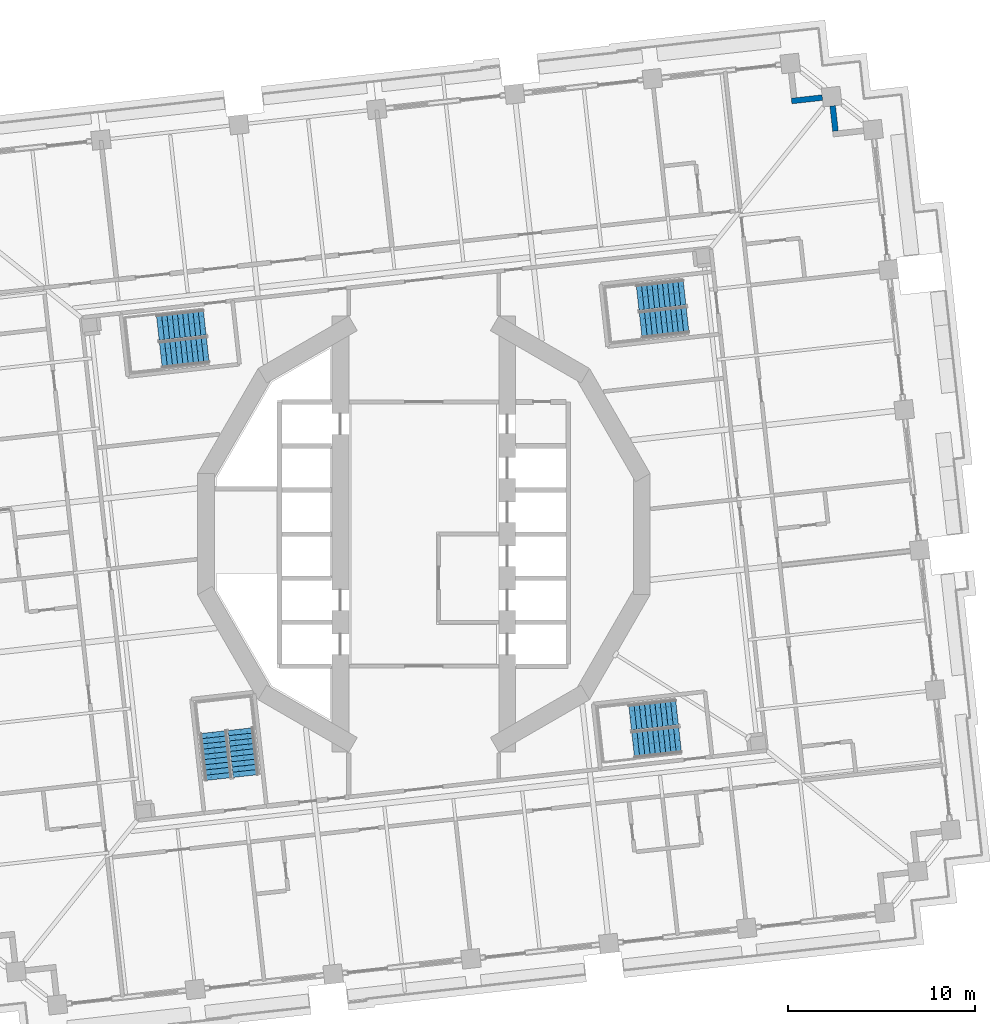
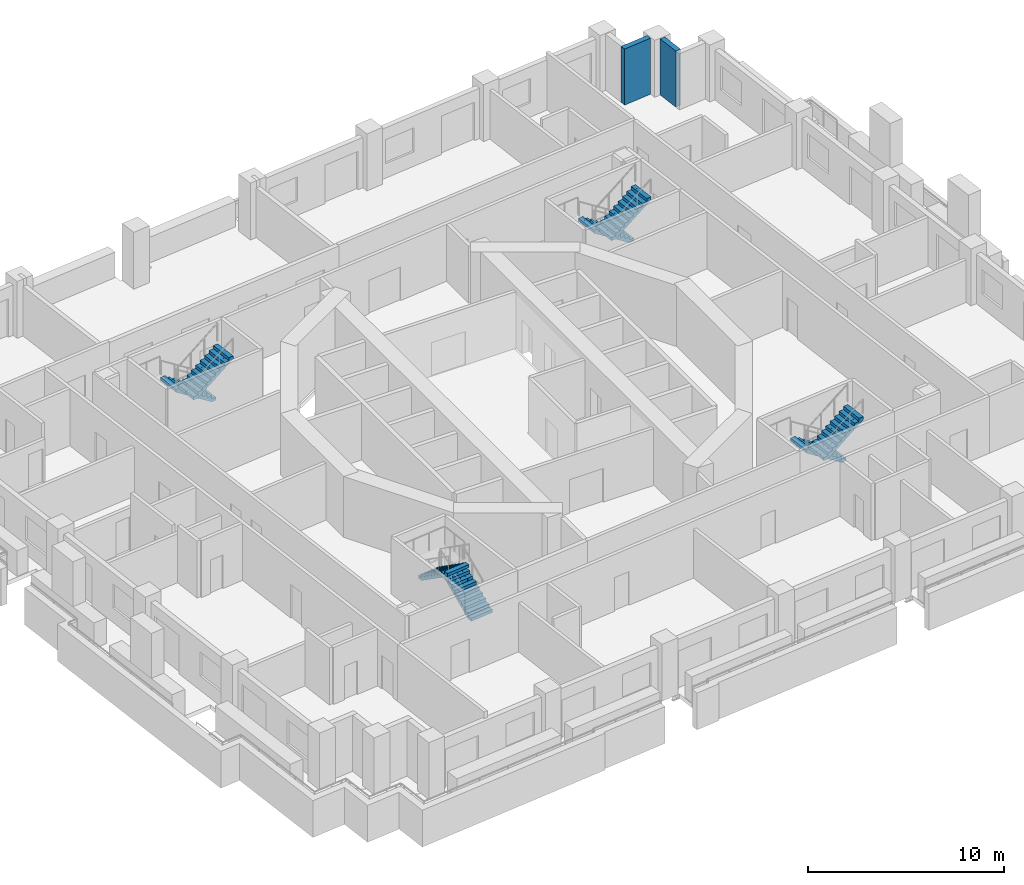
# One storey, part 10 of 19: 8 stair flights, 2 walls, 4 elements without a shape of their own.
"""IFC4 building model written with IfcOpenShell, lengths in metres."""

from ifc_helpers import new_model, si_unit, direction, frame, frame_2d, origin, place, context, subcontext, project, spatial, polyline, rectangle, outline, extrude, material, layer, layer_set, type_object, element, aggregate, save


model = new_model("IFC4")

# Units and contexts
model_context = context("Model", 3, precision=1e-05, world=origin(), true_north=direction((0.0, 1.0)))
body_context = subcontext(model_context, "Body", "Model", "MODEL_VIEW")
ifc_project = project(units=[si_unit("LENGTHUNIT", "METRE"), si_unit("AREAUNIT", "SQUARE_METRE"), si_unit("VOLUMEUNIT", "CUBIC_METRE"), si_unit("PLANEANGLEUNIT", "RADIAN"), si_unit("MASSUNIT", "GRAM", prefix="KILO")], contexts=[model_context])

# Site, building, storey
site_placement = place(None, origin())
site = spatial("IfcSite", under=ifc_project, at=site_placement, CompositionType="ELEMENT")
building_placement = place(site_placement, origin())
building = spatial("IfcBuilding", under=site, at=building_placement, Name="Cantera Rosa Tower", CompositionType="ELEMENT")
storey_placement = place(building_placement, frame((0.0, 0.0, 53.89990234375)))
storey = spatial("IfcBuildingStorey", under=building, at=storey_placement, Name="L10", CompositionType="ELEMENT", Elevation=53.89990234375)

# Walls
ifc_material_1 = material(Name="Hollow clay masonry with cantera stone cladding", Category="masonry")
ifc_layer = layer(ifc_material_1, 0.300048828125)
ifc_layer_set = layer_set([ifc_layer], Name="EW-LOGGIA 300")
wall_type = type_object("IfcWallType", Name="EW-LOGGIA 300", PredefinedType="SOLIDWALL", material=ifc_layer_set)
wall_1_placement = place(storey_placement, frame((21.9619140625, 21.50390625, 0.0), z_axis=(0.0, 0.0, 1.0), x_axis=(-0.110312435488, 0.993896959738, 0.0)))
element("IfcWall", 1, at=wall_1_placement, inside=storey, type_object=wall_type, Name="EN-L10-W06b", PredefinedType="SOLIDWALL", context=body_context, shape_type="SweptSolid", body=[
    extrude(rectangle(XDim=1.35009765625, YDim=0.300048828125, at=frame_2d((0.675048828125, 0.0))), origin(), (0.0, 0.0, 1.0), 3.5),
])
wall_2_placement = place(storey_placement, frame((21.2607421875, 23.287353515625, 0.0), z_axis=(0.0, 0.0, 1.0), x_axis=(-0.993905369514, -0.110236638423, 0.0)))
element("IfcWall", 2, at=wall_2_placement, inside=storey, type_object=wall_type, Name="EN-L10-W07a", PredefinedType="SOLIDWALL", context=body_context, shape_type="SweptSolid", body=[
    extrude(rectangle(XDim=1.64990234375, YDim=0.300048828125, at=frame_2d((0.824951171875, 0.0))), origin(), (0.0, 0.0, 1.0), 3.5),
])

# Stair, stair flights
ifc_material_2 = material(Name="Concrete C35/45", Category="concrete")
stair_type = type_object("IfcStairType", Name="EXIT STAIR 1350 DOGLEG", PredefinedType="HALF_TURN_STAIR", material=ifc_material_2)
stair_1_placement = place(storey_placement, origin())
stair_1 = element("IfcStair", 3, at=stair_1_placement, inside=storey, type_object=stair_type, Name="L10 ST-11", PredefinedType="HALF_TURN_STAIR")
ifc_material_3 = material(Name="Concrete C35/45", Category="concrete")
stair_flight_type = type_object("IfcStairFlightType", Name="STAIR FLIGHT 1350 R20x190", PredefinedType="STRAIGHT", material=ifc_material_3)
stair_flight_1_placement = place(storey_placement, frame((13.90869140625, 12.89990234375, 0.0), z_axis=(0.0, 0.0, 1.0), x_axis=(-0.993896947056, -0.110312549749, 0.0)))
stair_flight_1 = element("IfcStairFlight", 4, at=stair_flight_1_placement, type_object=stair_flight_type, Name="ST-11 flight 1", NumberOfRisers=10, NumberOfTreads=9, PredefinedType="STRAIGHT", RiserHeight=0.19, TreadLength=0.28, context=body_context, shape_type="SweptSolid", body=[
    extrude(outline(polyline([(0.0, 0.0), (0.0, 0.18994140625), (0.280029296875, 0.18994140625), (0.280029296875, 0.3798828125), (0.56005859375, 0.3798828125), (0.56005859375, 0.570068359375), (0.840087890625, 0.570068359375), (0.840087890625, 0.760009765625), (1.1201171875, 0.760009765625), (1.1201171875, 0.949951171875), (1.39990234375, 0.949951171875), (1.39990234375, 1.139892578125), (1.679931640625, 1.139892578125), (1.679931640625, 1.330078125), (1.9599609375, 1.330078125), (1.9599609375, 1.52001953125), (2.239990234375, 1.52001953125), (2.239990234375, 1.7099609375), (2.52001953125, 1.7099609375), (2.52001953125, 1.89990234375), (2.52001953125, 1.52880859375), (0.266845703125, 0.0), (0.0, 0.0)])), frame((0.0, 0.675048828125, 0.0), z_axis=(0.0, -1.0, 0.0), x_axis=(1.0, 0.0, 0.0)), (0.0, 0.0, 1.0), 0.3359375),
    extrude(outline(polyline([(0.0, 0.0), (0.0, 0.18994140625), (0.280029296875, 0.18994140625), (0.280029296875, 0.3798828125), (0.56005859375, 0.3798828125), (0.56005859375, 0.570068359375), (0.840087890625, 0.570068359375), (0.840087890625, 0.760009765625), (1.1201171875, 0.760009765625), (1.1201171875, 0.949951171875), (1.39990234375, 0.949951171875), (1.39990234375, 1.139892578125), (1.679931640625, 1.139892578125), (1.679931640625, 1.330078125), (1.9599609375, 1.330078125), (1.9599609375, 1.52001953125), (2.239990234375, 1.52001953125), (2.239990234375, 1.7099609375), (2.52001953125, 1.7099609375), (2.52001953125, 1.89990234375), (2.52001953125, 1.52880859375), (0.266845703125, 0.0), (0.0, 0.0)])), frame((0.0, 0.337158203125, 0.0), z_axis=(0.0, -1.0, 0.0), x_axis=(1.0, 0.0, 0.0)), (0.0, 0.0, 1.0), 0.3359375),
    extrude(outline(polyline([(0.0, 0.0), (0.0, 0.18994140625), (0.280029296875, 0.18994140625), (0.280029296875, 0.3798828125), (0.56005859375, 0.3798828125), (0.56005859375, 0.570068359375), (0.840087890625, 0.570068359375), (0.840087890625, 0.760009765625), (1.1201171875, 0.760009765625), (1.1201171875, 0.949951171875), (1.39990234375, 0.949951171875), (1.39990234375, 1.139892578125), (1.679931640625, 1.139892578125), (1.679931640625, 1.330078125), (1.9599609375, 1.330078125), (1.9599609375, 1.52001953125), (2.239990234375, 1.52001953125), (2.239990234375, 1.7099609375), (2.52001953125, 1.7099609375), (2.52001953125, 1.89990234375), (2.52001953125, 1.52880859375), (0.266845703125, 0.0), (0.0, 0.0)])), frame((0.0, -0.000732421875, 0.0), z_axis=(0.0, -1.0, 0.0), x_axis=(1.0, 0.0, 0.0)), (0.0, 0.0, 1.0), 0.3359375),
    extrude(outline(polyline([(0.0, 0.0), (0.0, 0.18994140625), (0.280029296875, 0.18994140625), (0.280029296875, 0.3798828125), (0.56005859375, 0.3798828125), (0.56005859375, 0.570068359375), (0.840087890625, 0.570068359375), (0.840087890625, 0.760009765625), (1.1201171875, 0.760009765625), (1.1201171875, 0.949951171875), (1.39990234375, 0.949951171875), (1.39990234375, 1.139892578125), (1.679931640625, 1.139892578125), (1.679931640625, 1.330078125), (1.9599609375, 1.330078125), (1.9599609375, 1.52001953125), (2.239990234375, 1.52001953125), (2.239990234375, 1.7099609375), (2.52001953125, 1.7099609375), (2.52001953125, 1.89990234375), (2.52001953125, 1.52880859375), (0.266845703125, 0.0), (0.0, 0.0)])), frame((0.0, -0.338623046875, 0.0), z_axis=(0.0, -1.0, 0.0), x_axis=(1.0, 0.0, 0.0)), (0.0, 0.0, 1.0), 0.3359375),
])
stair_flight_2_placement = place(storey_placement, frame((11.569580078125, 11.131103515625, 1.900146484375), z_axis=(0.0, 0.0, 1.0), x_axis=(0.993896947056, 0.110312549749, 0.0)))
stair_flight_2 = element("IfcStairFlight", 5, at=stair_flight_2_placement, type_object=stair_flight_type, Name="ST-11 flight 2", NumberOfRisers=10, NumberOfTreads=9, PredefinedType="STRAIGHT", RiserHeight=0.19, TreadLength=0.28, context=body_context, shape_type="SweptSolid", body=[
    extrude(outline(polyline([(0.0, 0.0), (0.0, 0.18994140625), (0.280029296875, 0.18994140625), (0.280029296875, 0.3798828125), (0.56005859375, 0.3798828125), (0.56005859375, 0.570068359375), (0.840087890625, 0.570068359375), (0.840087890625, 0.760009765625), (1.1201171875, 0.760009765625), (1.1201171875, 0.949951171875), (1.39990234375, 0.949951171875), (1.39990234375, 1.139892578125), (1.679931640625, 1.139892578125), (1.679931640625, 1.330078125), (1.9599609375, 1.330078125), (1.9599609375, 1.52001953125), (2.239990234375, 1.52001953125), (2.239990234375, 1.7099609375), (2.52001953125, 1.7099609375), (2.52001953125, 1.89990234375), (2.52001953125, 1.52880859375), (0.266845703125, 0.0), (0.0, 0.0)])), frame((0.0, 0.675048828125, 0.0), z_axis=(0.0, -1.0, 0.0), x_axis=(1.0, 0.0, 0.0)), (0.0, 0.0, 1.0), 0.3359375),
    extrude(outline(polyline([(0.0, 0.0), (0.0, 0.18994140625), (0.280029296875, 0.18994140625), (0.280029296875, 0.3798828125), (0.56005859375, 0.3798828125), (0.56005859375, 0.570068359375), (0.840087890625, 0.570068359375), (0.840087890625, 0.760009765625), (1.1201171875, 0.760009765625), (1.1201171875, 0.949951171875), (1.39990234375, 0.949951171875), (1.39990234375, 1.139892578125), (1.679931640625, 1.139892578125), (1.679931640625, 1.330078125), (1.9599609375, 1.330078125), (1.9599609375, 1.52001953125), (2.239990234375, 1.52001953125), (2.239990234375, 1.7099609375), (2.52001953125, 1.7099609375), (2.52001953125, 1.89990234375), (2.52001953125, 1.52880859375), (0.266845703125, 0.0), (0.0, 0.0)])), frame((0.0, 0.337158203125, 0.0), z_axis=(0.0, -1.0, 0.0), x_axis=(1.0, 0.0, 0.0)), (0.0, 0.0, 1.0), 0.3359375),
    extrude(outline(polyline([(0.0, 0.0), (0.0, 0.18994140625), (0.280029296875, 0.18994140625), (0.280029296875, 0.3798828125), (0.56005859375, 0.3798828125), (0.56005859375, 0.570068359375), (0.840087890625, 0.570068359375), (0.840087890625, 0.760009765625), (1.1201171875, 0.760009765625), (1.1201171875, 0.949951171875), (1.39990234375, 0.949951171875), (1.39990234375, 1.139892578125), (1.679931640625, 1.139892578125), (1.679931640625, 1.330078125), (1.9599609375, 1.330078125), (1.9599609375, 1.52001953125), (2.239990234375, 1.52001953125), (2.239990234375, 1.7099609375), (2.52001953125, 1.7099609375), (2.52001953125, 1.89990234375), (2.52001953125, 1.52880859375), (0.266845703125, 0.0), (0.0, 0.0)])), frame((0.0, -0.000732421875, 0.0), z_axis=(0.0, -1.0, 0.0), x_axis=(1.0, 0.0, 0.0)), (0.0, 0.0, 1.0), 0.3359375),
    extrude(outline(polyline([(0.0, 0.0), (0.0, 0.18994140625), (0.280029296875, 0.18994140625), (0.280029296875, 0.3798828125), (0.56005859375, 0.3798828125), (0.56005859375, 0.570068359375), (0.840087890625, 0.570068359375), (0.840087890625, 0.760009765625), (1.1201171875, 0.760009765625), (1.1201171875, 0.949951171875), (1.39990234375, 0.949951171875), (1.39990234375, 1.139892578125), (1.679931640625, 1.139892578125), (1.679931640625, 1.330078125), (1.9599609375, 1.330078125), (1.9599609375, 1.52001953125), (2.239990234375, 1.52001953125), (2.239990234375, 1.7099609375), (2.52001953125, 1.7099609375), (2.52001953125, 1.89990234375), (2.52001953125, 1.52880859375), (0.266845703125, 0.0), (0.0, 0.0)])), frame((0.0, -0.338623046875, 0.0), z_axis=(0.0, -1.0, 0.0), x_axis=(1.0, 0.0, 0.0)), (0.0, 0.0, 1.0), 0.3359375),
])
aggregate(stair_1, [stair_flight_1, stair_flight_2])

stair_2_placement = place(storey_placement, origin())
stair_2 = element("IfcStair", 6, at=stair_2_placement, inside=storey, type_object=stair_type, Name="L10 ST-12", PredefinedType="HALF_TURN_STAIR")
stair_flight_3_placement = place(storey_placement, frame((-11.691162109375, 11.2998046875, 0.0), z_axis=(0.0, 0.0, 1.0), x_axis=(-0.993896947056, -0.110312549749, 0.0)))
stair_flight_3 = element("IfcStairFlight", 7, at=stair_flight_3_placement, type_object=stair_flight_type, Name="ST-12 flight 1", NumberOfRisers=10, NumberOfTreads=9, PredefinedType="STRAIGHT", RiserHeight=0.19, TreadLength=0.28, context=body_context, shape_type="SweptSolid", body=[
    extrude(outline(polyline([(0.0, 0.0), (0.0, 0.18994140625), (0.280029296875, 0.18994140625), (0.280029296875, 0.3798828125), (0.56005859375, 0.3798828125), (0.56005859375, 0.570068359375), (0.840087890625, 0.570068359375), (0.840087890625, 0.760009765625), (1.1201171875, 0.760009765625), (1.1201171875, 0.949951171875), (1.39990234375, 0.949951171875), (1.39990234375, 1.139892578125), (1.679931640625, 1.139892578125), (1.679931640625, 1.330078125), (1.9599609375, 1.330078125), (1.9599609375, 1.52001953125), (2.239990234375, 1.52001953125), (2.239990234375, 1.7099609375), (2.52001953125, 1.7099609375), (2.52001953125, 1.89990234375), (2.52001953125, 1.52880859375), (0.266845703125, 0.0), (0.0, 0.0)])), frame((0.0, 0.675048828125, 0.0), z_axis=(0.0, -1.0, 0.0), x_axis=(1.0, 0.0, 0.0)), (0.0, 0.0, 1.0), 0.3359375),
    extrude(outline(polyline([(0.0, 0.0), (0.0, 0.18994140625), (0.280029296875, 0.18994140625), (0.280029296875, 0.3798828125), (0.56005859375, 0.3798828125), (0.56005859375, 0.570068359375), (0.840087890625, 0.570068359375), (0.840087890625, 0.760009765625), (1.1201171875, 0.760009765625), (1.1201171875, 0.949951171875), (1.39990234375, 0.949951171875), (1.39990234375, 1.139892578125), (1.679931640625, 1.139892578125), (1.679931640625, 1.330078125), (1.9599609375, 1.330078125), (1.9599609375, 1.52001953125), (2.239990234375, 1.52001953125), (2.239990234375, 1.7099609375), (2.52001953125, 1.7099609375), (2.52001953125, 1.89990234375), (2.52001953125, 1.52880859375), (0.266845703125, 0.0), (0.0, 0.0)])), frame((0.0, 0.337158203125, 0.0), z_axis=(0.0, -1.0, 0.0), x_axis=(1.0, 0.0, 0.0)), (0.0, 0.0, 1.0), 0.3359375),
    extrude(outline(polyline([(0.0, 0.0), (0.0, 0.18994140625), (0.280029296875, 0.18994140625), (0.280029296875, 0.3798828125), (0.56005859375, 0.3798828125), (0.56005859375, 0.570068359375), (0.840087890625, 0.570068359375), (0.840087890625, 0.760009765625), (1.1201171875, 0.760009765625), (1.1201171875, 0.949951171875), (1.39990234375, 0.949951171875), (1.39990234375, 1.139892578125), (1.679931640625, 1.139892578125), (1.679931640625, 1.330078125), (1.9599609375, 1.330078125), (1.9599609375, 1.52001953125), (2.239990234375, 1.52001953125), (2.239990234375, 1.7099609375), (2.52001953125, 1.7099609375), (2.52001953125, 1.89990234375), (2.52001953125, 1.52880859375), (0.266845703125, 0.0), (0.0, 0.0)])), frame((0.0, -0.000732421875, 0.0), z_axis=(0.0, -1.0, 0.0), x_axis=(1.0, 0.0, 0.0)), (0.0, 0.0, 1.0), 0.3359375),
    extrude(outline(polyline([(0.0, 0.0), (0.0, 0.18994140625), (0.280029296875, 0.18994140625), (0.280029296875, 0.3798828125), (0.56005859375, 0.3798828125), (0.56005859375, 0.570068359375), (0.840087890625, 0.570068359375), (0.840087890625, 0.760009765625), (1.1201171875, 0.760009765625), (1.1201171875, 0.949951171875), (1.39990234375, 0.949951171875), (1.39990234375, 1.139892578125), (1.679931640625, 1.139892578125), (1.679931640625, 1.330078125), (1.9599609375, 1.330078125), (1.9599609375, 1.52001953125), (2.239990234375, 1.52001953125), (2.239990234375, 1.7099609375), (2.52001953125, 1.7099609375), (2.52001953125, 1.89990234375), (2.52001953125, 1.52880859375), (0.266845703125, 0.0), (0.0, 0.0)])), frame((0.0, -0.338623046875, 0.0), z_axis=(0.0, -1.0, 0.0), x_axis=(1.0, 0.0, 0.0)), (0.0, 0.0, 1.0), 0.3359375),
])
stair_flight_4_placement = place(storey_placement, frame((-14.030517578125, 9.531005859375, 1.900146484375), z_axis=(0.0, 0.0, 1.0), x_axis=(0.993896947056, 0.110312549749, 0.0)))
stair_flight_4 = element("IfcStairFlight", 8, at=stair_flight_4_placement, type_object=stair_flight_type, Name="ST-12 flight 2", NumberOfRisers=10, NumberOfTreads=9, PredefinedType="STRAIGHT", RiserHeight=0.19, TreadLength=0.28, context=body_context, shape_type="SweptSolid", body=[
    extrude(outline(polyline([(0.0, 0.0), (0.0, 0.18994140625), (0.280029296875, 0.18994140625), (0.280029296875, 0.3798828125), (0.56005859375, 0.3798828125), (0.56005859375, 0.570068359375), (0.840087890625, 0.570068359375), (0.840087890625, 0.760009765625), (1.1201171875, 0.760009765625), (1.1201171875, 0.949951171875), (1.39990234375, 0.949951171875), (1.39990234375, 1.139892578125), (1.679931640625, 1.139892578125), (1.679931640625, 1.330078125), (1.9599609375, 1.330078125), (1.9599609375, 1.52001953125), (2.239990234375, 1.52001953125), (2.239990234375, 1.7099609375), (2.52001953125, 1.7099609375), (2.52001953125, 1.89990234375), (2.52001953125, 1.52880859375), (0.266845703125, 0.0), (0.0, 0.0)])), frame((0.0, 0.675048828125, 0.0), z_axis=(0.0, -1.0, 0.0), x_axis=(1.0, 0.0, 0.0)), (0.0, 0.0, 1.0), 0.3359375),
    extrude(outline(polyline([(0.0, 0.0), (0.0, 0.18994140625), (0.280029296875, 0.18994140625), (0.280029296875, 0.3798828125), (0.56005859375, 0.3798828125), (0.56005859375, 0.570068359375), (0.840087890625, 0.570068359375), (0.840087890625, 0.760009765625), (1.1201171875, 0.760009765625), (1.1201171875, 0.949951171875), (1.39990234375, 0.949951171875), (1.39990234375, 1.139892578125), (1.679931640625, 1.139892578125), (1.679931640625, 1.330078125), (1.9599609375, 1.330078125), (1.9599609375, 1.52001953125), (2.239990234375, 1.52001953125), (2.239990234375, 1.7099609375), (2.52001953125, 1.7099609375), (2.52001953125, 1.89990234375), (2.52001953125, 1.52880859375), (0.266845703125, 0.0), (0.0, 0.0)])), frame((0.0, 0.337158203125, 0.0), z_axis=(0.0, -1.0, 0.0), x_axis=(1.0, 0.0, 0.0)), (0.0, 0.0, 1.0), 0.3359375),
    extrude(outline(polyline([(0.0, 0.0), (0.0, 0.18994140625), (0.280029296875, 0.18994140625), (0.280029296875, 0.3798828125), (0.56005859375, 0.3798828125), (0.56005859375, 0.570068359375), (0.840087890625, 0.570068359375), (0.840087890625, 0.760009765625), (1.1201171875, 0.760009765625), (1.1201171875, 0.949951171875), (1.39990234375, 0.949951171875), (1.39990234375, 1.139892578125), (1.679931640625, 1.139892578125), (1.679931640625, 1.330078125), (1.9599609375, 1.330078125), (1.9599609375, 1.52001953125), (2.239990234375, 1.52001953125), (2.239990234375, 1.7099609375), (2.52001953125, 1.7099609375), (2.52001953125, 1.89990234375), (2.52001953125, 1.52880859375), (0.266845703125, 0.0), (0.0, 0.0)])), frame((0.0, -0.000732421875, 0.0), z_axis=(0.0, -1.0, 0.0), x_axis=(1.0, 0.0, 0.0)), (0.0, 0.0, 1.0), 0.3359375),
    extrude(outline(polyline([(0.0, 0.0), (0.0, 0.18994140625), (0.280029296875, 0.18994140625), (0.280029296875, 0.3798828125), (0.56005859375, 0.3798828125), (0.56005859375, 0.570068359375), (0.840087890625, 0.570068359375), (0.840087890625, 0.760009765625), (1.1201171875, 0.760009765625), (1.1201171875, 0.949951171875), (1.39990234375, 0.949951171875), (1.39990234375, 1.139892578125), (1.679931640625, 1.139892578125), (1.679931640625, 1.330078125), (1.9599609375, 1.330078125), (1.9599609375, 1.52001953125), (2.239990234375, 1.52001953125), (2.239990234375, 1.7099609375), (2.52001953125, 1.7099609375), (2.52001953125, 1.89990234375), (2.52001953125, 1.52880859375), (0.266845703125, 0.0), (0.0, 0.0)])), frame((0.0, -0.338623046875, 0.0), z_axis=(0.0, -1.0, 0.0), x_axis=(1.0, 0.0, 0.0)), (0.0, 0.0, 1.0), 0.3359375),
])
aggregate(stair_2, [stair_flight_3, stair_flight_4])

stair_3_placement = place(storey_placement, origin())
stair_3 = element("IfcStair", 9, at=stair_3_placement, inside=storey, type_object=stair_type, Name="L10 ST-13", PredefinedType="HALF_TURN_STAIR")
stair_flight_5_placement = place(storey_placement, frame((-9.500244140625, -12.90869140625, 0.0), z_axis=(0.0, 0.0, 1.0), x_axis=(-0.110312549749, 0.993896947056, 0.0)))
stair_flight_5 = element("IfcStairFlight", 10, at=stair_flight_5_placement, type_object=stair_flight_type, Name="ST-13 flight 1", NumberOfRisers=10, NumberOfTreads=9, PredefinedType="STRAIGHT", RiserHeight=0.19, TreadLength=0.28, context=body_context, shape_type="SweptSolid", body=[
    extrude(outline(polyline([(0.0, 0.0), (0.0, 0.18994140625), (0.280029296875, 0.18994140625), (0.280029296875, 0.3798828125), (0.56005859375, 0.3798828125), (0.56005859375, 0.570068359375), (0.840087890625, 0.570068359375), (0.840087890625, 0.760009765625), (1.1201171875, 0.760009765625), (1.1201171875, 0.949951171875), (1.39990234375, 0.949951171875), (1.39990234375, 1.139892578125), (1.679931640625, 1.139892578125), (1.679931640625, 1.330078125), (1.9599609375, 1.330078125), (1.9599609375, 1.52001953125), (2.239990234375, 1.52001953125), (2.239990234375, 1.7099609375), (2.52001953125, 1.7099609375), (2.52001953125, 1.89990234375), (2.52001953125, 1.52880859375), (0.266845703125, 0.0), (0.0, 0.0)])), frame((0.0, 0.675048828125, 0.0), z_axis=(0.0, -1.0, 0.0), x_axis=(1.0, 0.0, 0.0)), (0.0, 0.0, 1.0), 0.3359375),
    extrude(outline(polyline([(0.0, 0.0), (0.0, 0.18994140625), (0.280029296875, 0.18994140625), (0.280029296875, 0.3798828125), (0.56005859375, 0.3798828125), (0.56005859375, 0.570068359375), (0.840087890625, 0.570068359375), (0.840087890625, 0.760009765625), (1.1201171875, 0.760009765625), (1.1201171875, 0.949951171875), (1.39990234375, 0.949951171875), (1.39990234375, 1.139892578125), (1.679931640625, 1.139892578125), (1.679931640625, 1.330078125), (1.9599609375, 1.330078125), (1.9599609375, 1.52001953125), (2.239990234375, 1.52001953125), (2.239990234375, 1.7099609375), (2.52001953125, 1.7099609375), (2.52001953125, 1.89990234375), (2.52001953125, 1.52880859375), (0.266845703125, 0.0), (0.0, 0.0)])), frame((0.0, 0.337158203125, 0.0), z_axis=(0.0, -1.0, 0.0), x_axis=(1.0, 0.0, 0.0)), (0.0, 0.0, 1.0), 0.3359375),
    extrude(outline(polyline([(0.0, 0.0), (0.0, 0.18994140625), (0.280029296875, 0.18994140625), (0.280029296875, 0.3798828125), (0.56005859375, 0.3798828125), (0.56005859375, 0.570068359375), (0.840087890625, 0.570068359375), (0.840087890625, 0.760009765625), (1.1201171875, 0.760009765625), (1.1201171875, 0.949951171875), (1.39990234375, 0.949951171875), (1.39990234375, 1.139892578125), (1.679931640625, 1.139892578125), (1.679931640625, 1.330078125), (1.9599609375, 1.330078125), (1.9599609375, 1.52001953125), (2.239990234375, 1.52001953125), (2.239990234375, 1.7099609375), (2.52001953125, 1.7099609375), (2.52001953125, 1.89990234375), (2.52001953125, 1.52880859375), (0.266845703125, 0.0), (0.0, 0.0)])), frame((0.0, -0.000732421875, 0.0), z_axis=(0.0, -1.0, 0.0), x_axis=(1.0, 0.0, 0.0)), (0.0, 0.0, 1.0), 0.3359375),
    extrude(outline(polyline([(0.0, 0.0), (0.0, 0.18994140625), (0.280029296875, 0.18994140625), (0.280029296875, 0.3798828125), (0.56005859375, 0.3798828125), (0.56005859375, 0.570068359375), (0.840087890625, 0.570068359375), (0.840087890625, 0.760009765625), (1.1201171875, 0.760009765625), (1.1201171875, 0.949951171875), (1.39990234375, 0.949951171875), (1.39990234375, 1.139892578125), (1.679931640625, 1.139892578125), (1.679931640625, 1.330078125), (1.9599609375, 1.330078125), (1.9599609375, 1.52001953125), (2.239990234375, 1.52001953125), (2.239990234375, 1.7099609375), (2.52001953125, 1.7099609375), (2.52001953125, 1.89990234375), (2.52001953125, 1.52880859375), (0.266845703125, 0.0), (0.0, 0.0)])), frame((0.0, -0.338623046875, 0.0), z_axis=(0.0, -1.0, 0.0), x_axis=(1.0, 0.0, 0.0)), (0.0, 0.0, 1.0), 0.3359375),
])
stair_flight_6_placement = place(storey_placement, frame((-11.26904296875, -10.569580078125, 1.900146484375), z_axis=(0.0, 0.0, 1.0), x_axis=(0.110312549749, -0.993896947056, 0.0)))
stair_flight_6 = element("IfcStairFlight", 11, at=stair_flight_6_placement, type_object=stair_flight_type, Name="ST-13 flight 2", NumberOfRisers=10, NumberOfTreads=9, PredefinedType="STRAIGHT", RiserHeight=0.19, TreadLength=0.28, context=body_context, shape_type="SweptSolid", body=[
    extrude(outline(polyline([(0.0, 0.0), (0.0, 0.18994140625), (0.280029296875, 0.18994140625), (0.280029296875, 0.3798828125), (0.56005859375, 0.3798828125), (0.56005859375, 0.570068359375), (0.840087890625, 0.570068359375), (0.840087890625, 0.760009765625), (1.1201171875, 0.760009765625), (1.1201171875, 0.949951171875), (1.39990234375, 0.949951171875), (1.39990234375, 1.139892578125), (1.679931640625, 1.139892578125), (1.679931640625, 1.330078125), (1.9599609375, 1.330078125), (1.9599609375, 1.52001953125), (2.239990234375, 1.52001953125), (2.239990234375, 1.7099609375), (2.52001953125, 1.7099609375), (2.52001953125, 1.89990234375), (2.52001953125, 1.52880859375), (0.266845703125, 0.0), (0.0, 0.0)])), frame((0.0, 0.675048828125, 0.0), z_axis=(0.0, -1.0, 0.0), x_axis=(1.0, 0.0, 0.0)), (0.0, 0.0, 1.0), 0.3359375),
    extrude(outline(polyline([(0.0, 0.0), (0.0, 0.18994140625), (0.280029296875, 0.18994140625), (0.280029296875, 0.3798828125), (0.56005859375, 0.3798828125), (0.56005859375, 0.570068359375), (0.840087890625, 0.570068359375), (0.840087890625, 0.760009765625), (1.1201171875, 0.760009765625), (1.1201171875, 0.949951171875), (1.39990234375, 0.949951171875), (1.39990234375, 1.139892578125), (1.679931640625, 1.139892578125), (1.679931640625, 1.330078125), (1.9599609375, 1.330078125), (1.9599609375, 1.52001953125), (2.239990234375, 1.52001953125), (2.239990234375, 1.7099609375), (2.52001953125, 1.7099609375), (2.52001953125, 1.89990234375), (2.52001953125, 1.52880859375), (0.266845703125, 0.0), (0.0, 0.0)])), frame((0.0, 0.337158203125, 0.0), z_axis=(0.0, -1.0, 0.0), x_axis=(1.0, 0.0, 0.0)), (0.0, 0.0, 1.0), 0.3359375),
    extrude(outline(polyline([(0.0, 0.0), (0.0, 0.18994140625), (0.280029296875, 0.18994140625), (0.280029296875, 0.3798828125), (0.56005859375, 0.3798828125), (0.56005859375, 0.570068359375), (0.840087890625, 0.570068359375), (0.840087890625, 0.760009765625), (1.1201171875, 0.760009765625), (1.1201171875, 0.949951171875), (1.39990234375, 0.949951171875), (1.39990234375, 1.139892578125), (1.679931640625, 1.139892578125), (1.679931640625, 1.330078125), (1.9599609375, 1.330078125), (1.9599609375, 1.52001953125), (2.239990234375, 1.52001953125), (2.239990234375, 1.7099609375), (2.52001953125, 1.7099609375), (2.52001953125, 1.89990234375), (2.52001953125, 1.52880859375), (0.266845703125, 0.0), (0.0, 0.0)])), frame((0.0, -0.000732421875, 0.0), z_axis=(0.0, -1.0, 0.0), x_axis=(1.0, 0.0, 0.0)), (0.0, 0.0, 1.0), 0.3359375),
    extrude(outline(polyline([(0.0, 0.0), (0.0, 0.18994140625), (0.280029296875, 0.18994140625), (0.280029296875, 0.3798828125), (0.56005859375, 0.3798828125), (0.56005859375, 0.570068359375), (0.840087890625, 0.570068359375), (0.840087890625, 0.760009765625), (1.1201171875, 0.760009765625), (1.1201171875, 0.949951171875), (1.39990234375, 0.949951171875), (1.39990234375, 1.139892578125), (1.679931640625, 1.139892578125), (1.679931640625, 1.330078125), (1.9599609375, 1.330078125), (1.9599609375, 1.52001953125), (2.239990234375, 1.52001953125), (2.239990234375, 1.7099609375), (2.52001953125, 1.7099609375), (2.52001953125, 1.89990234375), (2.52001953125, 1.52880859375), (0.266845703125, 0.0), (0.0, 0.0)])), frame((0.0, -0.338623046875, 0.0), z_axis=(0.0, -1.0, 0.0), x_axis=(1.0, 0.0, 0.0)), (0.0, 0.0, 1.0), 0.3359375),
])
aggregate(stair_3, [stair_flight_5, stair_flight_6])

stair_4_placement = place(storey_placement, origin())
stair_4 = element("IfcStair", 12, at=stair_4_placement, inside=storey, type_object=stair_type, Name="L10 ST-14", PredefinedType="HALF_TURN_STAIR")
stair_flight_7_placement = place(storey_placement, frame((13.5087890625, -9.500244140625, 0.0), z_axis=(0.0, 0.0, 1.0), x_axis=(-0.993896947056, -0.110312549749, 0.0)))
stair_flight_7 = element("IfcStairFlight", 13, at=stair_flight_7_placement, type_object=stair_flight_type, Name="ST-14 flight 1", NumberOfRisers=10, NumberOfTreads=9, PredefinedType="STRAIGHT", RiserHeight=0.19, TreadLength=0.28, context=body_context, shape_type="SweptSolid", body=[
    extrude(outline(polyline([(0.0, 0.0), (0.0, 0.18994140625), (0.280029296875, 0.18994140625), (0.280029296875, 0.3798828125), (0.56005859375, 0.3798828125), (0.56005859375, 0.570068359375), (0.840087890625, 0.570068359375), (0.840087890625, 0.760009765625), (1.1201171875, 0.760009765625), (1.1201171875, 0.949951171875), (1.39990234375, 0.949951171875), (1.39990234375, 1.139892578125), (1.679931640625, 1.139892578125), (1.679931640625, 1.330078125), (1.9599609375, 1.330078125), (1.9599609375, 1.52001953125), (2.239990234375, 1.52001953125), (2.239990234375, 1.7099609375), (2.52001953125, 1.7099609375), (2.52001953125, 1.89990234375), (2.52001953125, 1.52880859375), (0.266845703125, 0.0), (0.0, 0.0)])), frame((0.0, 0.675048828125, 0.0), z_axis=(0.0, -1.0, 0.0), x_axis=(1.0, 0.0, 0.0)), (0.0, 0.0, 1.0), 0.3359375),
    extrude(outline(polyline([(0.0, 0.0), (0.0, 0.18994140625), (0.280029296875, 0.18994140625), (0.280029296875, 0.3798828125), (0.56005859375, 0.3798828125), (0.56005859375, 0.570068359375), (0.840087890625, 0.570068359375), (0.840087890625, 0.760009765625), (1.1201171875, 0.760009765625), (1.1201171875, 0.949951171875), (1.39990234375, 0.949951171875), (1.39990234375, 1.139892578125), (1.679931640625, 1.139892578125), (1.679931640625, 1.330078125), (1.9599609375, 1.330078125), (1.9599609375, 1.52001953125), (2.239990234375, 1.52001953125), (2.239990234375, 1.7099609375), (2.52001953125, 1.7099609375), (2.52001953125, 1.89990234375), (2.52001953125, 1.52880859375), (0.266845703125, 0.0), (0.0, 0.0)])), frame((0.0, 0.337158203125, 0.0), z_axis=(0.0, -1.0, 0.0), x_axis=(1.0, 0.0, 0.0)), (0.0, 0.0, 1.0), 0.3359375),
    extrude(outline(polyline([(0.0, 0.0), (0.0, 0.18994140625), (0.280029296875, 0.18994140625), (0.280029296875, 0.3798828125), (0.56005859375, 0.3798828125), (0.56005859375, 0.570068359375), (0.840087890625, 0.570068359375), (0.840087890625, 0.760009765625), (1.1201171875, 0.760009765625), (1.1201171875, 0.949951171875), (1.39990234375, 0.949951171875), (1.39990234375, 1.139892578125), (1.679931640625, 1.139892578125), (1.679931640625, 1.330078125), (1.9599609375, 1.330078125), (1.9599609375, 1.52001953125), (2.239990234375, 1.52001953125), (2.239990234375, 1.7099609375), (2.52001953125, 1.7099609375), (2.52001953125, 1.89990234375), (2.52001953125, 1.52880859375), (0.266845703125, 0.0), (0.0, 0.0)])), frame((0.0, -0.000732421875, 0.0), z_axis=(0.0, -1.0, 0.0), x_axis=(1.0, 0.0, 0.0)), (0.0, 0.0, 1.0), 0.3359375),
    extrude(outline(polyline([(0.0, 0.0), (0.0, 0.18994140625), (0.280029296875, 0.18994140625), (0.280029296875, 0.3798828125), (0.56005859375, 0.3798828125), (0.56005859375, 0.570068359375), (0.840087890625, 0.570068359375), (0.840087890625, 0.760009765625), (1.1201171875, 0.760009765625), (1.1201171875, 0.949951171875), (1.39990234375, 0.949951171875), (1.39990234375, 1.139892578125), (1.679931640625, 1.139892578125), (1.679931640625, 1.330078125), (1.9599609375, 1.330078125), (1.9599609375, 1.52001953125), (2.239990234375, 1.52001953125), (2.239990234375, 1.7099609375), (2.52001953125, 1.7099609375), (2.52001953125, 1.89990234375), (2.52001953125, 1.52880859375), (0.266845703125, 0.0), (0.0, 0.0)])), frame((0.0, -0.338623046875, 0.0), z_axis=(0.0, -1.0, 0.0), x_axis=(1.0, 0.0, 0.0)), (0.0, 0.0, 1.0), 0.3359375),
])
stair_flight_8_placement = place(storey_placement, frame((11.169677734375, -11.26904296875, 1.900146484375), z_axis=(0.0, 0.0, 1.0), x_axis=(0.993896947056, 0.110312549749, 0.0)))
stair_flight_8 = element("IfcStairFlight", 14, at=stair_flight_8_placement, type_object=stair_flight_type, Name="ST-14 flight 2", NumberOfRisers=10, NumberOfTreads=9, PredefinedType="STRAIGHT", RiserHeight=0.19, TreadLength=0.28, context=body_context, shape_type="SweptSolid", body=[
    extrude(outline(polyline([(0.0, 0.0), (0.0, 0.18994140625), (0.280029296875, 0.18994140625), (0.280029296875, 0.3798828125), (0.56005859375, 0.3798828125), (0.56005859375, 0.570068359375), (0.840087890625, 0.570068359375), (0.840087890625, 0.760009765625), (1.1201171875, 0.760009765625), (1.1201171875, 0.949951171875), (1.39990234375, 0.949951171875), (1.39990234375, 1.139892578125), (1.679931640625, 1.139892578125), (1.679931640625, 1.330078125), (1.9599609375, 1.330078125), (1.9599609375, 1.52001953125), (2.239990234375, 1.52001953125), (2.239990234375, 1.7099609375), (2.52001953125, 1.7099609375), (2.52001953125, 1.89990234375), (2.52001953125, 1.52880859375), (0.266845703125, 0.0), (0.0, 0.0)])), frame((0.0, 0.675048828125, 0.0), z_axis=(0.0, -1.0, 0.0), x_axis=(1.0, 0.0, 0.0)), (0.0, 0.0, 1.0), 0.3359375),
    extrude(outline(polyline([(0.0, 0.0), (0.0, 0.18994140625), (0.280029296875, 0.18994140625), (0.280029296875, 0.3798828125), (0.56005859375, 0.3798828125), (0.56005859375, 0.570068359375), (0.840087890625, 0.570068359375), (0.840087890625, 0.760009765625), (1.1201171875, 0.760009765625), (1.1201171875, 0.949951171875), (1.39990234375, 0.949951171875), (1.39990234375, 1.139892578125), (1.679931640625, 1.139892578125), (1.679931640625, 1.330078125), (1.9599609375, 1.330078125), (1.9599609375, 1.52001953125), (2.239990234375, 1.52001953125), (2.239990234375, 1.7099609375), (2.52001953125, 1.7099609375), (2.52001953125, 1.89990234375), (2.52001953125, 1.52880859375), (0.266845703125, 0.0), (0.0, 0.0)])), frame((0.0, 0.337158203125, 0.0), z_axis=(0.0, -1.0, 0.0), x_axis=(1.0, 0.0, 0.0)), (0.0, 0.0, 1.0), 0.3359375),
    extrude(outline(polyline([(0.0, 0.0), (0.0, 0.18994140625), (0.280029296875, 0.18994140625), (0.280029296875, 0.3798828125), (0.56005859375, 0.3798828125), (0.56005859375, 0.570068359375), (0.840087890625, 0.570068359375), (0.840087890625, 0.760009765625), (1.1201171875, 0.760009765625), (1.1201171875, 0.949951171875), (1.39990234375, 0.949951171875), (1.39990234375, 1.139892578125), (1.679931640625, 1.139892578125), (1.679931640625, 1.330078125), (1.9599609375, 1.330078125), (1.9599609375, 1.52001953125), (2.239990234375, 1.52001953125), (2.239990234375, 1.7099609375), (2.52001953125, 1.7099609375), (2.52001953125, 1.89990234375), (2.52001953125, 1.52880859375), (0.266845703125, 0.0), (0.0, 0.0)])), frame((0.0, -0.000732421875, 0.0), z_axis=(0.0, -1.0, 0.0), x_axis=(1.0, 0.0, 0.0)), (0.0, 0.0, 1.0), 0.3359375),
    extrude(outline(polyline([(0.0, 0.0), (0.0, 0.18994140625), (0.280029296875, 0.18994140625), (0.280029296875, 0.3798828125), (0.56005859375, 0.3798828125), (0.56005859375, 0.570068359375), (0.840087890625, 0.570068359375), (0.840087890625, 0.760009765625), (1.1201171875, 0.760009765625), (1.1201171875, 0.949951171875), (1.39990234375, 0.949951171875), (1.39990234375, 1.139892578125), (1.679931640625, 1.139892578125), (1.679931640625, 1.330078125), (1.9599609375, 1.330078125), (1.9599609375, 1.52001953125), (2.239990234375, 1.52001953125), (2.239990234375, 1.7099609375), (2.52001953125, 1.7099609375), (2.52001953125, 1.89990234375), (2.52001953125, 1.52880859375), (0.266845703125, 0.0), (0.0, 0.0)])), frame((0.0, -0.338623046875, 0.0), z_axis=(0.0, -1.0, 0.0), x_axis=(1.0, 0.0, 0.0)), (0.0, 0.0, 1.0), 0.3359375),
])
aggregate(stair_4, [stair_flight_7, stair_flight_8])

save(model, "model.ifc")
